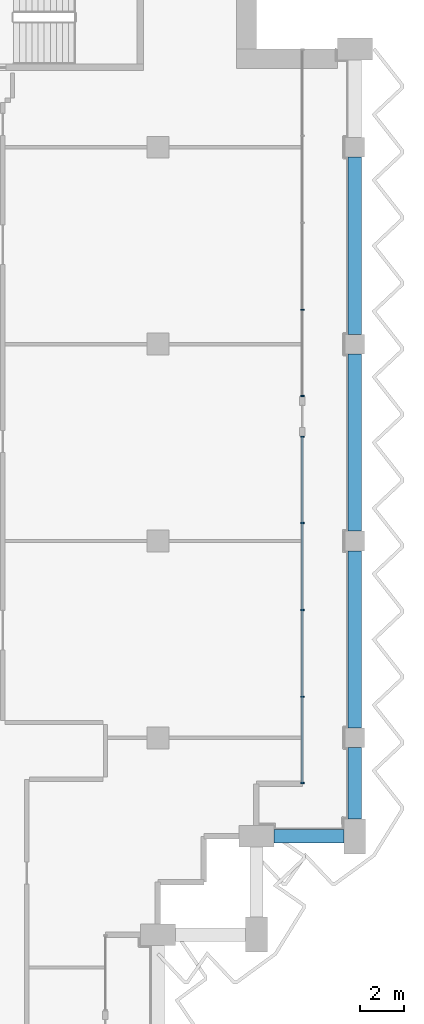
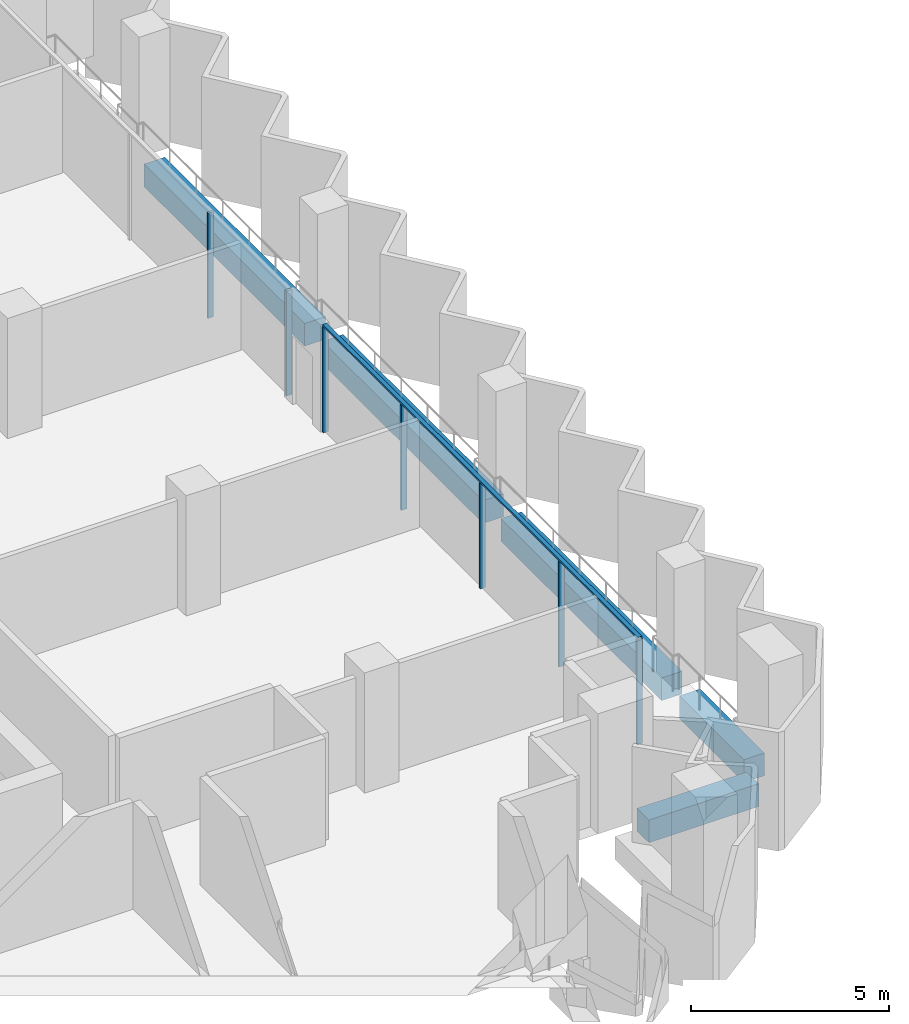
# One storey, part 4 of 16: 8 members, 5 beams, 2 elements without a shape of their own.
"""IFC4 building model written with IfcOpenShell, lengths in metres."""

from ifc_helpers import new_model, si_unit, direction, frame, origin, origin_2d, place, context, subcontext, project, spatial, rectangle, extrude, material, material_profile, profile_set, type_object, element, aggregate, save


model = new_model("IFC4")

# Units and contexts
model_context = context("Model", 3, precision=1e-05, world=origin(), true_north=direction((0.0, 1.0)))
body_context = subcontext(model_context, "Body", "Model", "MODEL_VIEW")
ifc_project = project(units=[si_unit("LENGTHUNIT", "METRE"), si_unit("AREAUNIT", "SQUARE_METRE"), si_unit("VOLUMEUNIT", "CUBIC_METRE"), si_unit("PLANEANGLEUNIT", "RADIAN"), si_unit("MASSUNIT", "GRAM", prefix="KILO")], contexts=[model_context])

# Site, building, storey
site_placement = place(None, origin())
site = spatial("IfcSite", under=ifc_project, at=site_placement, CompositionType="ELEMENT")
building_placement = place(site_placement, origin())
building = spatial("IfcBuilding", under=site, at=building_placement, Name="Hunhe Ridgeline Campus", CompositionType="ELEMENT")
storey_placement = place(building_placement, frame((0.0, 0.0, 239.199951171875)))
storey = spatial("IfcBuildingStorey", under=building, at=storey_placement, Name="L61", CompositionType="ELEMENT", Elevation=239.199951171875)

# Curtain wall, members
ifc_material_1 = material(Name="Aluminium 6063", Category="aluminium")
curtain_wall_type = type_object("IfcCurtainWallType", Name="Curtain wall CW-1", PredefinedType="NOTDEFINED", material=ifc_material_1)
curtain_wall_1_placement = place(storey_placement, origin())
curtain_wall_1 = element("IfcCurtainWall", 1, at=curtain_wall_1_placement, inside=storey, type_object=curtain_wall_type, Name="Curtain wall 13", PredefinedType="NOTDEFINED")
ifc_material_profile_1 = material_profile(ifc_material_1, rectangle(XDim=0.159912109375, YDim=0.06005859375, at=origin_2d()))
ifc_profile_set_1 = profile_set([ifc_material_profile_1], Name="Aluminium 6063")
member_type_1 = type_object("IfcMemberType", Name="CW-1 aluminium mullion", PredefinedType="MULLION", material=ifc_profile_set_1)
member_1_placement = place(storey_placement, frame((51.59912109375, 60.930908203125, 0.0), z_axis=(0.0, 0.0, 1.0), x_axis=(-1.0, 0.0, 0.0)))
member_1 = element("IfcMember", 2, at=member_1_placement, type_object=member_type_1, Name="CW-1 mullion 1", PredefinedType="MULLION", context=body_context, shape_type="SweptSolid", body=[
    extrude(rectangle(XDim=0.159912109375, YDim=0.06005859375, at=origin_2d()), origin(), (0.0, 0.0, 1.0), 3.239990234375),
])
member_2_placement = place(storey_placement, frame((51.59912109375, 64.8759765625, 0.0), z_axis=(0.0, 0.0, 1.0), x_axis=(-1.0, 0.0, 0.0)))
member_2 = element("IfcMember", 3, at=member_2_placement, type_object=member_type_1, Name="CW-1 mullion 2", PredefinedType="MULLION", context=body_context, shape_type="SweptSolid", body=[
    extrude(rectangle(XDim=0.159912109375, YDim=0.06005859375, at=origin_2d()), origin(), (0.0, 0.0, 1.0), 3.239990234375),
])
member_3_placement = place(storey_placement, frame((51.59912109375, 68.850830078125, 0.0), z_axis=(0.0, 0.0, 1.0), x_axis=(-1.0, 0.0, 0.0)))
member_3 = element("IfcMember", 4, at=member_3_placement, type_object=member_type_1, Name="CW-1 mullion 3", PredefinedType="MULLION", context=body_context, shape_type="SweptSolid", body=[
    extrude(rectangle(XDim=0.159912109375, YDim=0.06005859375, at=origin_2d()), origin(), (0.0, 0.0, 1.0), 3.239990234375),
])
member_4_placement = place(storey_placement, frame((51.59912109375, 72.82568359375, 0.0), z_axis=(0.0, 0.0, 1.0), x_axis=(-1.0, 0.0, 0.0)))
member_4 = element("IfcMember", 5, at=member_4_placement, type_object=member_type_1, Name="CW-1 mullion 4", PredefinedType="MULLION", context=body_context, shape_type="SweptSolid", body=[
    extrude(rectangle(XDim=0.159912109375, YDim=0.06005859375, at=origin_2d()), origin(), (0.0, 0.0, 1.0), 3.239990234375),
])
member_5_placement = place(storey_placement, frame((51.59912109375, 76.7705078125, 0.0), z_axis=(0.0, 0.0, 1.0), x_axis=(-1.0, 0.0, 0.0)))
member_5 = element("IfcMember", 6, at=member_5_placement, type_object=member_type_1, Name="CW-1 mullion 5", PredefinedType="MULLION", context=body_context, shape_type="SweptSolid", body=[
    extrude(rectangle(XDim=0.159912109375, YDim=0.06005859375, at=origin_2d()), origin(), (0.0, 0.0, 1.0), 3.239990234375),
])

curtain_wall_2_placement = place(storey_placement, origin())
curtain_wall_2 = element("IfcCurtainWall", 7, at=curtain_wall_2_placement, inside=storey, type_object=curtain_wall_type, Name="Curtain wall 14", PredefinedType="NOTDEFINED")
member_6_placement = place(storey_placement, frame((51.59912109375, 78.630615234375, 0.0), z_axis=(0.0, 0.0, 1.0), x_axis=(-1.0, 0.0, 0.0)))
member_6 = element("IfcMember", 8, at=member_6_placement, type_object=member_type_1, Name="CW-1 mullion 1", PredefinedType="MULLION", context=body_context, shape_type="SweptSolid", body=[
    extrude(rectangle(XDim=0.159912109375, YDim=0.06005859375, at=origin_2d()), origin(), (0.0, 0.0, 1.0), 3.239990234375),
])
member_7_placement = place(storey_placement, frame((51.59912109375, 82.575439453125, 0.0), z_axis=(0.0, 0.0, 1.0), x_axis=(-1.0, 0.0, 0.0)))
member_7 = element("IfcMember", 9, at=member_7_placement, type_object=member_type_1, Name="CW-1 mullion 2", PredefinedType="MULLION", context=body_context, shape_type="SweptSolid", body=[
    extrude(rectangle(XDim=0.159912109375, YDim=0.06005859375, at=origin_2d()), origin(), (0.0, 0.0, 1.0), 3.239990234375),
])
aggregate(curtain_wall_2, [member_6, member_7])

# Member
ifc_material_profile_2 = material_profile(ifc_material_1, rectangle(XDim=0.1201171875, YDim=0.06005859375, at=origin_2d()))
ifc_profile_set_2 = profile_set([ifc_material_profile_2], Name="Aluminium 6063")
member_type_2 = type_object("IfcMemberType", Name="CW-1 aluminium transom", PredefinedType="USERDEFINED", material=ifc_profile_set_2)
member_8_placement = place(storey_placement, frame((51.59912109375, 60.90087890625, 3.27001953125), z_axis=(0.0, 1.0, 0.0), x_axis=(-1.0, 0.0, 0.0)))
member_8 = element("IfcMember", 10, at=member_8_placement, type_object=member_type_2, Name="CW-1 transom 1", ObjectType="TRANSOM", PredefinedType="USERDEFINED", context=body_context, shape_type="SweptSolid", body=[
    extrude(rectangle(XDim=0.1201171875, YDim=0.06005859375, at=origin_2d()), origin(), (0.0, 0.0, 1.0), 15.899658203125),
])

aggregate(curtain_wall_1, [member_8, member_1, member_2, member_3, member_4, member_5])

# Beams
ifc_material_2 = material(Name="Concrete C50", Category="concrete")
ifc_material_profile_3 = material_profile(ifc_material_2, rectangle(XDim=0.60009765625, YDim=0.699951171875, at=origin_2d()))
ifc_profile_set_3 = profile_set([ifc_material_profile_3], Name="Concrete C50")
beam_type = type_object("IfcBeamType", Name="RC spandrel beam 600x700 Concrete C50", PredefinedType="SPANDREL", material=ifc_profile_set_3)
beam_1_placement = place(storey_placement, frame((50.300048828125, 58.5, -0.599853515625), z_axis=(1.0, 0.0, 0.0), x_axis=(0.0, 1.0, 0.0)))
element("IfcBeam", 11, at=beam_1_placement, inside=storey, type_object=beam_type, Name="Spandrel beam B4-12 L61", PredefinedType="SPANDREL", context=body_context, shape_type="SweptSolid", body=[
    extrude(rectangle(XDim=0.60009765625, YDim=0.699951171875, at=origin_2d()), origin(), (0.0, 0.0, 1.0), 3.199951171875),
])
beam_2_placement = place(storey_placement, frame((54.0, 59.300048828125, -0.599853515625), z_axis=(0.0, 1.0, 0.0), x_axis=(-1.0, 0.0, 0.0)))
element("IfcBeam", 12, at=beam_2_placement, inside=storey, type_object=beam_type, Name="Spandrel beam B4-13 L61", PredefinedType="SPANDREL", context=body_context, shape_type="SweptSolid", body=[
    extrude(rectangle(XDim=0.60009765625, YDim=0.699951171875, at=origin_2d()), origin(), (0.0, 0.0, 1.0), 3.25),
])
for number, where, z_axis, x_axis, name in (
    (13, (54.0, 63.449951171875, -0.599853515625), (0.0, 1.0, 0.0), (-1.0, 0.0, 0.0), "Spandrel beam B4-14 L61"),
    (14, (54.0, 72.449951171875, -0.599853515625), (0.0, 1.0, 0.0), (-1.0, 0.0, 0.0), "Spandrel beam B4-15 L61"),
    (15, (54.0, 81.449951171875, -0.599853515625), (0.0, 1.0, 0.0), (-1.0, 0.0, 0.0), "Spandrel beam B4-16 L61"),
):
    element("IfcBeam", number, at=place(storey_placement, frame(where, z_axis=z_axis, x_axis=x_axis)), inside=storey, type_object=beam_type, Name=name, PredefinedType="SPANDREL", context=body_context, shape_type="SweptSolid", body=[
        extrude(rectangle(XDim=0.60009765625, YDim=0.699951171875, at=origin_2d()), origin(), (0.0, 0.0, 1.0), 8.10009765625),
    ])

save(model, "model.ifc")
